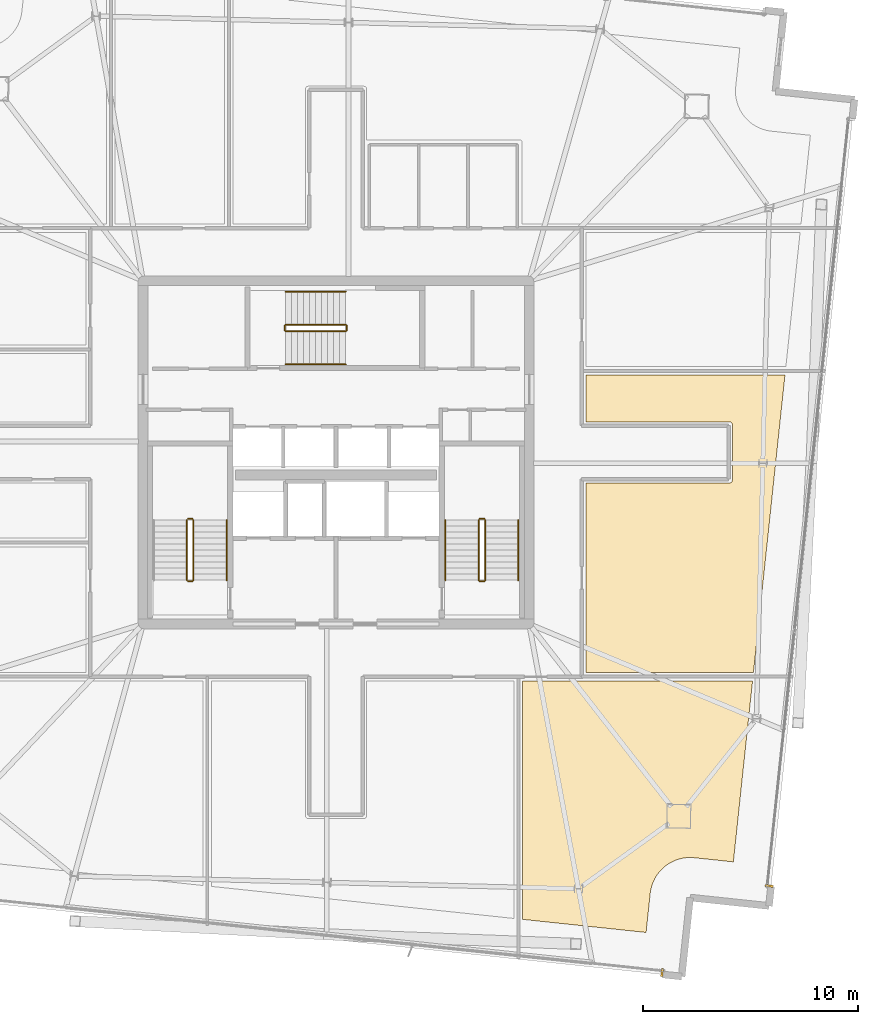
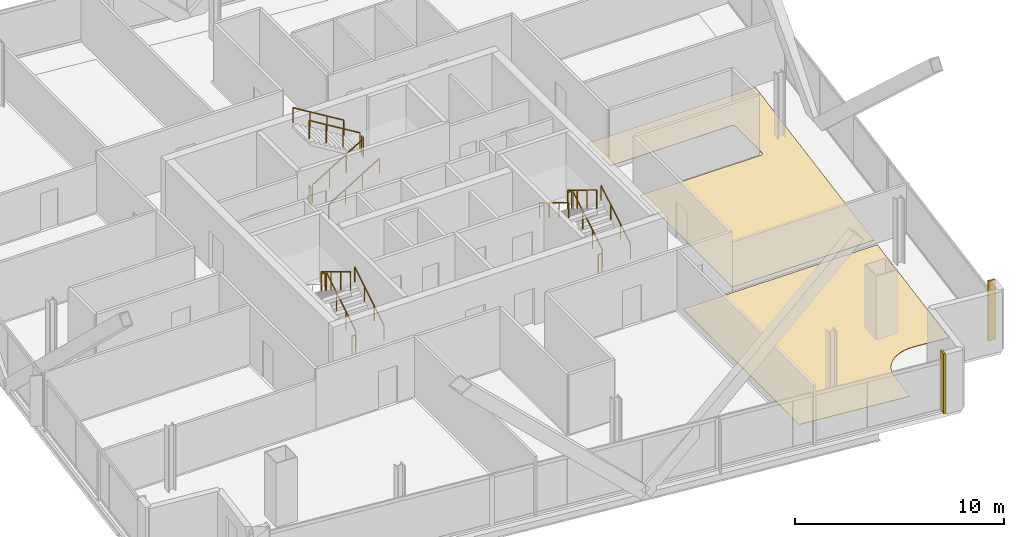
# One storey, part 23 of 24: 17 railings, 4 coverings.
"""IFC4 building model written with IfcOpenShell, lengths in metres."""

from ifc_helpers import new_model, si_unit, direction, frame, origin, origin_2d, place, context, subcontext, project, spatial, polyline, rectangle, outline, extrude, source, transform, mapped, material, layer, layer_set, type_object, element, save


model = new_model("IFC4")

# Units and contexts
model_context = context("Model", 3, precision=1e-05, world=origin(), true_north=direction((0.0, 1.0)))
body_context = subcontext(model_context, "Body", "Model", "MODEL_VIEW")
ifc_project = project(units=[si_unit("LENGTHUNIT", "METRE"), si_unit("AREAUNIT", "SQUARE_METRE"), si_unit("VOLUMEUNIT", "CUBIC_METRE"), si_unit("PLANEANGLEUNIT", "RADIAN"), si_unit("MASSUNIT", "GRAM", prefix="KILO")], contexts=[model_context])

# Site, building, storey
site_placement = place(None, origin())
site = spatial("IfcSite", under=ifc_project, at=site_placement, CompositionType="ELEMENT")
building_placement = place(site_placement, origin())
building = spatial("IfcBuilding", under=site, at=building_placement, Name="Haldenkirk Collegiate Tower", CompositionType="ELEMENT")
storey_placement = place(building_placement, frame((0.0, 0.0, 310.199951171875)))
storey = spatial("IfcBuildingStorey", under=building, at=storey_placement, Name="L78", CompositionType="ELEMENT", Elevation=310.199951171875)

# Coverings
ifc_material_1 = material(Name="Polished collegiate terrazzo", Category="concrete")
ifc_layer_1 = layer(ifc_material_1, 0.02490234375)
ifc_layer_set_1 = layer_set([ifc_layer_1], Name="Polished collegiate terrazzo")
covering_type_1 = type_object("IfcCoveringType", Name="COV-FLOOR-TERRAZZO", PredefinedType="FLOORING", material=ifc_layer_set_1)
covering_1_placement = place(storey_placement, origin())
element("IfcCovering", 1, at=covering_1_placement, inside=storey, type_object=covering_type_1, Name="L78 academic room finish 10", PredefinedType="FLOORING", context=body_context, shape_type="SweptSolid", body=[
    extrude(outline(polyline([(54.35009765625, 24.580078125), (54.36181640625, 24.58056640625), (54.373291015625, 24.582275390625), (54.384765625, 24.585205078125), (54.39599609375, 24.589111328125), (54.406494140625, 24.59423828125), (54.416748046875, 24.60009765625), (54.426025390625, 24.607177734375), (54.434814453125, 24.614990234375), (54.44287109375, 24.623779296875), (54.44970703125, 24.63330078125), (54.455810546875, 24.643310546875), (54.4609375, 24.654052734375), (54.46484375, 24.665283203125), (54.4677734375, 24.676513671875), (54.469482421875, 24.688232421875), (54.469970703125, 24.699951171875), (54.469970703125, 27.300048828125), (54.469482421875, 27.311767578125), (54.4677734375, 27.323486328125), (54.46484375, 27.334716796875), (54.4609375, 27.345947265625), (54.455810546875, 27.356689453125), (54.44970703125, 27.36669921875), (54.44287109375, 27.376220703125), (54.434814453125, 27.385009765625), (54.426025390625, 27.392822265625), (54.416748046875, 27.39990234375), (54.406494140625, 27.40576171875), (54.39599609375, 27.410888671875), (54.384765625, 27.414794921875), (54.373291015625, 27.417724609375), (54.36181640625, 27.41943359375), (54.35009765625, 27.419921875), (47.64990234375, 27.419921875), (47.64990234375, 29.60009765625), (56.926025390625, 29.60009765625), (55.4580078125, 15.75), (47.64990234375, 15.75), (47.64990234375, 24.580078125), (54.35009765625, 24.580078125)])), origin(), (0.0, 0.0, 1.0), 0.025146484375),
])
ifc_material_2 = material(Name="Engineered collegiate oak acoustic flooring", Category="wood")
ifc_layer_2 = layer(ifc_material_2, 0.02197265625)
ifc_layer_set_2 = layer_set([ifc_layer_2], Name="Engineered collegiate oak acoustic flooring")
covering_type_2 = type_object("IfcCoveringType", Name="COV-FLOOR-TIMBER", PredefinedType="FLOORING", material=ifc_layer_set_2)
covering_2_placement = place(storey_placement, origin())
element("IfcCovering", 2, at=covering_2_placement, inside=storey, type_object=covering_type_2, Name="L78 academic room finish 03", PredefinedType="FLOORING", context=body_context, shape_type="SweptSolid", body=[
    extrude(outline(polyline([(51.980712890625, 7.039794921875), (51.96923828125, 7.03662109375), (51.80712890625, 6.97998046875), (51.796142578125, 6.9755859375), (51.640380859375, 6.9033203125), (51.6298828125, 6.897705078125), (51.482177734375, 6.810546875), (51.47216796875, 6.80419921875), (51.33349609375, 6.702880859375), (51.324462890625, 6.6953125), (51.1962890625, 6.5810546875), (51.18798828125, 6.57275390625), (51.071533203125, 6.4462890625), (51.06396484375, 6.437255859375), (50.960693359375, 6.300048828125), (50.9541015625, 6.290283203125), (50.86474609375, 6.143798828125), (50.859130859375, 6.13330078125), (50.784423828125, 5.978759765625), (50.77978515625, 5.9677734375), (50.720947265625, 5.806396484375), (50.71728515625, 5.79541015625), (50.67431640625, 5.62890625), (50.672119140625, 5.617431640625), (50.6455078125, 5.447998046875), (50.644775390625, 5.44189453125), (50.451904296875, 3.622314453125), (44.699951171875, 4.231689453125), (44.699951171875, 15.35009765625), (55.415771484375, 15.35009765625), (54.521240234375, 6.91162109375), (52.70166015625, 7.1044921875), (52.69580078125, 7.10498046875), (52.524169921875, 7.11474609375), (52.512451171875, 7.11474609375), (52.3408203125, 7.107666015625), (52.3291015625, 7.1064453125), (52.158935546875, 7.08251953125), (52.1474609375, 7.080322265625), (51.980712890625, 7.039794921875)])), origin(), (0.0, 0.0, 1.0), 0.02197265625),
])

# Railings
ifc_material_3 = material(Name="Painted architectural tubular steel", Category="steel")
railing_type_1 = type_object("IfcRailingType", Name="RLG-STAIR-GUARD-1100", PredefinedType="BALUSTRADE", material=ifc_material_3)
railing_1_placement = place(storey_placement, frame((29.35009765625, 20.050048828125, 0.17041015625)))
element("IfcRailing", 3, at=railing_1_placement, inside=storey, type_object=railing_type_1, Name="L78 ST-1 stair guard 1", PredefinedType="BALUSTRADE", context=body_context, shape_type="SweptSolid", body=[
    extrude(rectangle(XDim=0.048095703125, YDim=0.048095703125, at=origin_2d()), frame((0.0, 0.0, 1.076171875), z_axis=(0.0, 0.854169791009, 0.51999420009), x_axis=(-1.0, 0.0, 0.0)), (0.0, 0.0, 1.0), 3.278076171875),
    extrude(rectangle(XDim=0.0419921875, YDim=0.0419921875, at=origin_2d()), origin(), (0.0, 0.0, 1.0), 1.052001953125),
    extrude(rectangle(XDim=0.0419921875, YDim=0.0419921875, at=origin_2d()), frame((0.0, 0.933349609375, 0.568115234375)), (0.0, 0.0, 1.0), 1.052001953125),
    extrude(rectangle(XDim=0.0419921875, YDim=0.0419921875, at=origin_2d()), frame((0.0, 1.86669921875, 1.136474609375)), (0.0, 0.0, 1.0), 1.052001953125),
    extrude(rectangle(XDim=0.0419921875, YDim=0.0419921875, at=origin_2d()), frame((0.0, 2.800048828125, 1.70458984375)), (0.0, 0.0, 1.0), 1.052001953125),
])
railing_2_placement = place(storey_placement, frame((29.300048828125, 22.89990234375, 1.875)))
element("IfcRailing", 4, at=railing_2_placement, inside=storey, type_object=railing_type_1, Name="L78 ST-1 stair guard 2", PredefinedType="BALUSTRADE", context=body_context, shape_type="SweptSolid", body=[
    extrude(rectangle(XDim=0.048095703125, YDim=0.048095703125, at=origin_2d()), frame((0.0, 0.0, 1.076171875), z_axis=(-1.0, 0.0, 0.0), x_axis=(0.0, -1.0, 0.0)), (0.0, 0.0, 1.0), 0.199951171875),
    extrude(rectangle(XDim=0.0419921875, YDim=0.0419921875, at=origin_2d()), origin(), (0.0, 0.0, 1.0), 1.052001953125),
    extrude(rectangle(XDim=0.0419921875, YDim=0.0419921875, at=origin_2d()), frame((-0.199951171875, 0.0, 0.0)), (0.0, 0.0, 1.0), 1.052001953125),
])
railing_3_placement = place(storey_placement, frame((29.050048828125, 22.85009765625, 2.04541015625)))
element("IfcRailing", 5, at=railing_3_placement, inside=storey, type_object=railing_type_1, Name="L78 ST-1 stair guard 3", PredefinedType="BALUSTRADE", context=body_context, shape_type="SweptSolid", body=[
    extrude(rectangle(XDim=0.048095703125, YDim=0.048095703125, at=origin_2d()), frame((0.0, 0.0, 1.076171875), z_axis=(0.0, -0.854169791009, 0.51999420009), x_axis=(1.0, 0.0, 0.0)), (0.0, 0.0, 1.0), 3.278076171875),
    extrude(rectangle(XDim=0.0419921875, YDim=0.0419921875, at=origin_2d()), origin(), (0.0, 0.0, 1.0), 1.052001953125),
    extrude(rectangle(XDim=0.0419921875, YDim=0.0419921875, at=origin_2d()), frame((0.0, -0.933349609375, 0.568115234375)), (0.0, 0.0, 1.0), 1.052001953125),
    extrude(rectangle(XDim=0.0419921875, YDim=0.0419921875, at=origin_2d()), frame((0.0, -1.86669921875, 1.136474609375)), (0.0, 0.0, 1.0), 1.052001953125),
    extrude(rectangle(XDim=0.0419921875, YDim=0.0419921875, at=origin_2d()), frame((0.0, -2.800048828125, 1.70458984375)), (0.0, 0.0, 1.0), 1.052001953125),
])
railing_4_placement = place(storey_placement, frame((29.300048828125, 20.0, 0.0)))
element("IfcRailing", 6, at=railing_4_placement, inside=storey, type_object=railing_type_1, Name="L78 ST-1 stair guard 4", PredefinedType="BALUSTRADE", context=body_context, shape_type="SweptSolid", body=[
    extrude(rectangle(XDim=0.048095703125, YDim=0.048095703125, at=origin_2d()), frame((0.0, 0.0, 1.076171875), z_axis=(-1.0, 0.0, 0.0), x_axis=(0.0, -1.0, 0.0)), (0.0, 0.0, 1.0), 0.199951171875),
    extrude(rectangle(XDim=0.0419921875, YDim=0.0419921875, at=origin_2d()), origin(), (0.0, 0.0, 1.0), 1.052001953125),
    extrude(rectangle(XDim=0.0419921875, YDim=0.0419921875, at=origin_2d()), frame((-0.199951171875, 0.0, 0.0)), (0.0, 0.0, 1.0), 1.052001953125),
])
railing_5_placement = place(storey_placement, frame((42.949951171875, 20.050048828125, 0.17041015625)))
element("IfcRailing", 7, at=railing_5_placement, inside=storey, type_object=railing_type_1, Name="L78 ST-2 stair guard 1", PredefinedType="BALUSTRADE", context=body_context, shape_type="SweptSolid", body=[
    extrude(rectangle(XDim=0.048095703125, YDim=0.048095703125, at=origin_2d()), frame((0.0, 0.0, 1.076171875), z_axis=(0.0, 0.854169791009, 0.51999420009), x_axis=(-1.0, 0.0, 0.0)), (0.0, 0.0, 1.0), 3.278076171875),
    extrude(rectangle(XDim=0.0419921875, YDim=0.0419921875, at=origin_2d()), origin(), (0.0, 0.0, 1.0), 1.052001953125),
    extrude(rectangle(XDim=0.0419921875, YDim=0.0419921875, at=origin_2d()), frame((0.0, 0.933349609375, 0.568115234375)), (0.0, 0.0, 1.0), 1.052001953125),
    extrude(rectangle(XDim=0.0419921875, YDim=0.0419921875, at=origin_2d()), frame((0.0, 1.86669921875, 1.136474609375)), (0.0, 0.0, 1.0), 1.052001953125),
    extrude(rectangle(XDim=0.0419921875, YDim=0.0419921875, at=origin_2d()), frame((0.0, 2.800048828125, 1.70458984375)), (0.0, 0.0, 1.0), 1.052001953125),
])
railing_6_placement = place(storey_placement, frame((42.89990234375, 22.89990234375, 1.875)))
element("IfcRailing", 8, at=railing_6_placement, inside=storey, type_object=railing_type_1, Name="L78 ST-2 stair guard 2", PredefinedType="BALUSTRADE", context=body_context, shape_type="SweptSolid", body=[
    extrude(rectangle(XDim=0.048095703125, YDim=0.048095703125, at=origin_2d()), frame((0.0, 0.0, 1.076171875), z_axis=(-1.0, 0.0, 0.0), x_axis=(0.0, -1.0, 0.0)), (0.0, 0.0, 1.0), 0.199951171875),
    extrude(rectangle(XDim=0.0419921875, YDim=0.0419921875, at=origin_2d()), origin(), (0.0, 0.0, 1.0), 1.052001953125),
    extrude(rectangle(XDim=0.0419921875, YDim=0.0419921875, at=origin_2d()), frame((-0.199951171875, 0.0, 0.0)), (0.0, 0.0, 1.0), 1.052001953125),
])
railing_7_placement = place(storey_placement, frame((42.64990234375, 22.85009765625, 2.04541015625)))
element("IfcRailing", 9, at=railing_7_placement, inside=storey, type_object=railing_type_1, Name="L78 ST-2 stair guard 3", PredefinedType="BALUSTRADE", context=body_context, shape_type="SweptSolid", body=[
    extrude(rectangle(XDim=0.048095703125, YDim=0.048095703125, at=origin_2d()), frame((0.0, 0.0, 1.076171875), z_axis=(0.0, -0.854169791009, 0.51999420009), x_axis=(1.0, 0.0, 0.0)), (0.0, 0.0, 1.0), 3.278076171875),
    extrude(rectangle(XDim=0.0419921875, YDim=0.0419921875, at=origin_2d()), origin(), (0.0, 0.0, 1.0), 1.052001953125),
    extrude(rectangle(XDim=0.0419921875, YDim=0.0419921875, at=origin_2d()), frame((0.0, -0.933349609375, 0.568115234375)), (0.0, 0.0, 1.0), 1.052001953125),
    extrude(rectangle(XDim=0.0419921875, YDim=0.0419921875, at=origin_2d()), frame((0.0, -1.86669921875, 1.136474609375)), (0.0, 0.0, 1.0), 1.052001953125),
    extrude(rectangle(XDim=0.0419921875, YDim=0.0419921875, at=origin_2d()), frame((0.0, -2.800048828125, 1.70458984375)), (0.0, 0.0, 1.0), 1.052001953125),
])
railing_8_placement = place(storey_placement, frame((42.89990234375, 20.0, 0.0)))
element("IfcRailing", 10, at=railing_8_placement, inside=storey, type_object=railing_type_1, Name="L78 ST-2 stair guard 4", PredefinedType="BALUSTRADE", context=body_context, shape_type="SweptSolid", body=[
    extrude(rectangle(XDim=0.048095703125, YDim=0.048095703125, at=origin_2d()), frame((0.0, 0.0, 1.076171875), z_axis=(-1.0, 0.0, 0.0), x_axis=(0.0, -1.0, 0.0)), (0.0, 0.0, 1.0), 0.199951171875),
    extrude(rectangle(XDim=0.0419921875, YDim=0.0419921875, at=origin_2d()), origin(), (0.0, 0.0, 1.0), 1.052001953125),
    extrude(rectangle(XDim=0.0419921875, YDim=0.0419921875, at=origin_2d()), frame((-0.199951171875, 0.0, 0.0)), (0.0, 0.0, 1.0), 1.052001953125),
])
railing_9_placement = place(storey_placement, frame((33.64990234375, 31.64990234375, 0.17041015625)))
element("IfcRailing", 11, at=railing_9_placement, inside=storey, type_object=railing_type_1, Name="L78 ST-3 stair guard 1", PredefinedType="BALUSTRADE", context=body_context, shape_type="SweptSolid", body=[
    extrude(rectangle(XDim=0.048095703125, YDim=0.048095703125, at=origin_2d()), frame((0.0, 0.0, 1.076171875), z_axis=(0.854169791009, 0.0, 0.51999420009), x_axis=(0.0, 1.0, 0.0)), (0.0, 0.0, 1.0), 3.278076171875),
    extrude(rectangle(XDim=0.0419921875, YDim=0.0419921875, at=origin_2d()), origin(), (0.0, 0.0, 1.0), 1.052001953125),
    extrude(rectangle(XDim=0.0419921875, YDim=0.0419921875, at=origin_2d()), frame((0.933349609375, 0.0, 0.568115234375)), (0.0, 0.0, 1.0), 1.052001953125),
    extrude(rectangle(XDim=0.0419921875, YDim=0.0419921875, at=origin_2d()), frame((1.86669921875, 0.0, 1.136474609375)), (0.0, 0.0, 1.0), 1.052001953125),
    extrude(rectangle(XDim=0.0419921875, YDim=0.0419921875, at=origin_2d()), frame((2.800048828125, 0.0, 1.70458984375)), (0.0, 0.0, 1.0), 1.052001953125),
])
railing_10_placement = place(storey_placement, frame((36.5, 31.699951171875, 1.875)))
element("IfcRailing", 12, at=railing_10_placement, inside=storey, type_object=railing_type_1, Name="L78 ST-3 stair guard 2", PredefinedType="BALUSTRADE", context=body_context, shape_type="SweptSolid", body=[
    extrude(rectangle(XDim=0.048095703125, YDim=0.048095703125, at=origin_2d()), frame((0.0, 0.0, 1.076171875), z_axis=(0.0, 1.0, 0.0), x_axis=(-1.0, 0.0, 0.0)), (0.0, 0.0, 1.0), 0.199951171875),
    extrude(rectangle(XDim=0.0419921875, YDim=0.0419921875, at=origin_2d()), origin(), (0.0, 0.0, 1.0), 1.052001953125),
    extrude(rectangle(XDim=0.0419921875, YDim=0.0419921875, at=origin_2d()), frame((0.0, 0.199951171875, 0.0)), (0.0, 0.0, 1.0), 1.052001953125),
])
railing_11_placement = place(storey_placement, frame((36.449951171875, 31.949951171875, 2.04541015625)))
element("IfcRailing", 13, at=railing_11_placement, inside=storey, type_object=railing_type_1, Name="L78 ST-3 stair guard 3", PredefinedType="BALUSTRADE", context=body_context, shape_type="SweptSolid", body=[
    extrude(rectangle(XDim=0.048095703125, YDim=0.048095703125, at=origin_2d()), frame((0.0, 0.0, 1.076171875), z_axis=(-0.854169791009, 0.0, 0.51999420009), x_axis=(0.0, -1.0, 0.0)), (0.0, 0.0, 1.0), 3.278076171875),
    extrude(rectangle(XDim=0.0419921875, YDim=0.0419921875, at=origin_2d()), origin(), (0.0, 0.0, 1.0), 1.052001953125),
    extrude(rectangle(XDim=0.0419921875, YDim=0.0419921875, at=origin_2d()), frame((-0.933349609375, 0.0, 0.568115234375)), (0.0, 0.0, 1.0), 1.052001953125),
    extrude(rectangle(XDim=0.0419921875, YDim=0.0419921875, at=origin_2d()), frame((-1.86669921875, 0.0, 1.136474609375)), (0.0, 0.0, 1.0), 1.052001953125),
    extrude(rectangle(XDim=0.0419921875, YDim=0.0419921875, at=origin_2d()), frame((-2.800048828125, 0.0, 1.70458984375)), (0.0, 0.0, 1.0), 1.052001953125),
])
railing_12_placement = place(storey_placement, frame((33.60009765625, 31.699951171875, 0.0)))
element("IfcRailing", 14, at=railing_12_placement, inside=storey, type_object=railing_type_1, Name="L78 ST-3 stair guard 4", PredefinedType="BALUSTRADE", context=body_context, shape_type="SweptSolid", body=[
    extrude(rectangle(XDim=0.048095703125, YDim=0.048095703125, at=origin_2d()), frame((0.0, 0.0, 1.076171875), z_axis=(0.0, 1.0, 0.0), x_axis=(-1.0, 0.0, 0.0)), (0.0, 0.0, 1.0), 0.199951171875),
    extrude(rectangle(XDim=0.0419921875, YDim=0.0419921875, at=origin_2d()), origin(), (0.0, 0.0, 1.0), 1.052001953125),
    extrude(rectangle(XDim=0.0419921875, YDim=0.0419921875, at=origin_2d()), frame((0.0, 0.199951171875, 0.0)), (0.0, 0.0, 1.0), 1.052001953125),
])
railing_type_2 = type_object("IfcRailingType", Name="RLG-STAIR-HANDRAIL-900", PredefinedType="HANDRAIL", material=ifc_material_3)
for number, where, name in (
    (15, (30.89990234375, 20.050048828125, 0.17041015625), "L78 ST-1 stair handrail 1"),
    (16, (44.5, 20.050048828125, 0.17041015625), "L78 ST-2 stair handrail 1"),
):
    element("IfcRailing", number, at=place(storey_placement, frame(where)), inside=storey, type_object=railing_type_2, Name=name, PredefinedType="HANDRAIL", context=body_context, shape_type="SweptSolid", body=[
        extrude(rectangle(XDim=0.048095703125, YDim=0.048095703125, at=origin_2d()), frame((0.0, 0.0, 0.8759765625), z_axis=(0.0, 0.854169791009, 0.51999420009), x_axis=(-1.0, 0.0, 0.0)), (0.0, 0.0, 1.0), 3.278076171875),
        extrude(rectangle(XDim=0.0419921875, YDim=0.0419921875, at=origin_2d()), origin(), (0.0, 0.0, 1.0), 0.851806640625),
        extrude(rectangle(XDim=0.0419921875, YDim=0.0419921875, at=origin_2d()), frame((0.0, 0.933349609375, 0.568115234375)), (0.0, 0.0, 1.0), 0.851806640625),
        extrude(rectangle(XDim=0.0419921875, YDim=0.0419921875, at=origin_2d()), frame((0.0, 1.86669921875, 1.136474609375)), (0.0, 0.0, 1.0), 0.851806640625),
        extrude(rectangle(XDim=0.0419921875, YDim=0.0419921875, at=origin_2d()), frame((0.0, 2.800048828125, 1.70458984375)), (0.0, 0.0, 1.0), 0.851806640625),
    ])
railing_13_placement = place(storey_placement, frame((41.10009765625, 22.85009765625, 2.04541015625)))
element("IfcRailing", 17, at=railing_13_placement, inside=storey, type_object=railing_type_2, Name="L78 ST-2 stair handrail 2", PredefinedType="HANDRAIL", context=body_context, shape_type="SweptSolid", body=[
    extrude(rectangle(XDim=0.048095703125, YDim=0.048095703125, at=origin_2d()), frame((0.0, 0.0, 0.8759765625), z_axis=(0.0, -0.854169791009, 0.51999420009), x_axis=(1.0, 0.0, 0.0)), (0.0, 0.0, 1.0), 3.278076171875),
    extrude(rectangle(XDim=0.0419921875, YDim=0.0419921875, at=origin_2d()), origin(), (0.0, 0.0, 1.0), 0.851806640625),
    extrude(rectangle(XDim=0.0419921875, YDim=0.0419921875, at=origin_2d()), frame((0.0, -0.933349609375, 0.568115234375)), (0.0, 0.0, 1.0), 0.851806640625),
    extrude(rectangle(XDim=0.0419921875, YDim=0.0419921875, at=origin_2d()), frame((0.0, -1.86669921875, 1.136474609375)), (0.0, 0.0, 1.0), 0.851806640625),
    extrude(rectangle(XDim=0.0419921875, YDim=0.0419921875, at=origin_2d()), frame((0.0, -2.800048828125, 1.70458984375)), (0.0, 0.0, 1.0), 0.851806640625),
])
railing_14_placement = place(storey_placement, frame((33.64990234375, 30.10009765625, 0.17041015625)))
element("IfcRailing", 18, at=railing_14_placement, inside=storey, type_object=railing_type_2, Name="L78 ST-3 stair handrail 1", PredefinedType="HANDRAIL", context=body_context, shape_type="SweptSolid", body=[
    extrude(rectangle(XDim=0.048095703125, YDim=0.048095703125, at=origin_2d()), frame((0.0, 0.0, 0.8759765625), z_axis=(0.854169791009, 0.0, 0.51999420009), x_axis=(0.0, 1.0, 0.0)), (0.0, 0.0, 1.0), 3.278076171875),
    extrude(rectangle(XDim=0.0419921875, YDim=0.0419921875, at=origin_2d()), origin(), (0.0, 0.0, 1.0), 0.851806640625),
    extrude(rectangle(XDim=0.0419921875, YDim=0.0419921875, at=origin_2d()), frame((0.933349609375, 0.0, 0.568115234375)), (0.0, 0.0, 1.0), 0.851806640625),
    extrude(rectangle(XDim=0.0419921875, YDim=0.0419921875, at=origin_2d()), frame((1.86669921875, 0.0, 1.136474609375)), (0.0, 0.0, 1.0), 0.851806640625),
    extrude(rectangle(XDim=0.0419921875, YDim=0.0419921875, at=origin_2d()), frame((2.800048828125, 0.0, 1.70458984375)), (0.0, 0.0, 1.0), 0.851806640625),
])
railing_15_placement = place(storey_placement, frame((36.449951171875, 33.5, 2.04541015625)))
element("IfcRailing", 19, at=railing_15_placement, inside=storey, type_object=railing_type_2, Name="L78 ST-3 stair handrail 2", PredefinedType="HANDRAIL", context=body_context, shape_type="SweptSolid", body=[
    extrude(rectangle(XDim=0.048095703125, YDim=0.048095703125, at=origin_2d()), frame((0.0, 0.0, 0.8759765625), z_axis=(-0.854169791009, 0.0, 0.51999420009), x_axis=(0.0, -1.0, 0.0)), (0.0, 0.0, 1.0), 3.278076171875),
    extrude(rectangle(XDim=0.0419921875, YDim=0.0419921875, at=origin_2d()), origin(), (0.0, 0.0, 1.0), 0.851806640625),
    extrude(rectangle(XDim=0.0419921875, YDim=0.0419921875, at=origin_2d()), frame((-0.933349609375, 0.0, 0.568115234375)), (0.0, 0.0, 1.0), 0.851806640625),
    extrude(rectangle(XDim=0.0419921875, YDim=0.0419921875, at=origin_2d()), frame((-1.86669921875, 0.0, 1.136474609375)), (0.0, 0.0, 1.0), 0.851806640625),
    extrude(rectangle(XDim=0.0419921875, YDim=0.0419921875, at=origin_2d()), frame((-2.800048828125, 0.0, 1.70458984375)), (0.0, 0.0, 1.0), 0.851806640625),
])

# Coverings
ifc_material_4 = material(Name="Anodised architectural bronze aluminium", Category="aluminium")
ifc_layer_3 = layer(ifc_material_4, 0.06005859375)
ifc_layer_set_3 = layer_set([ifc_layer_3], Name="Anodised architectural bronze aluminium")
covering_type_3 = type_object("IfcCoveringType", Name="COV-CLAD-BRONZE-60", PredefinedType="CLADDING", material=ifc_layer_set_3)
shared_shape = source(origin(), body_context, "Body", "SweptSolid", [
    extrude(rectangle(XDim=0.10009765625, YDim=0.3798828125, at=origin_2d()), origin(), (0.0, 0.0, 1.0), 3.489990234375),
])
for number, where, z_axis, x_axis, name in (
    (20, (56.1923828125, 5.789306640625, 0.0), (0.0, 0.0, 1.0), (-0.105396307434, -0.994430298402, 0.0), "L78 recessed curtain-wall bronze jamb closure SJR"),
    (21, (51.19921875, 1.753173828125, 0.0), (0.0, 0.0, 1.0), (-0.994430298402, 0.105396307434, 0.0), "L78 recessed curtain-wall bronze jamb closure WJL"),
):
    element("IfcCovering", number, at=place(storey_placement, frame(where, z_axis=z_axis, x_axis=x_axis)), inside=storey, type_object=covering_type_3, Name=name, PredefinedType="CLADDING", context=body_context, shape_type="MappedRepresentation", body=[
        mapped(shared_shape, transform((0.0, 0.0, 0.0), x_axis=(1.0, 0.0, 0.0), y_axis=(0.0, 1.0, 0.0), z_axis=(0.0, 0.0, 1.0), scale=1.0)),
    ])

save(model, "model.ifc")
